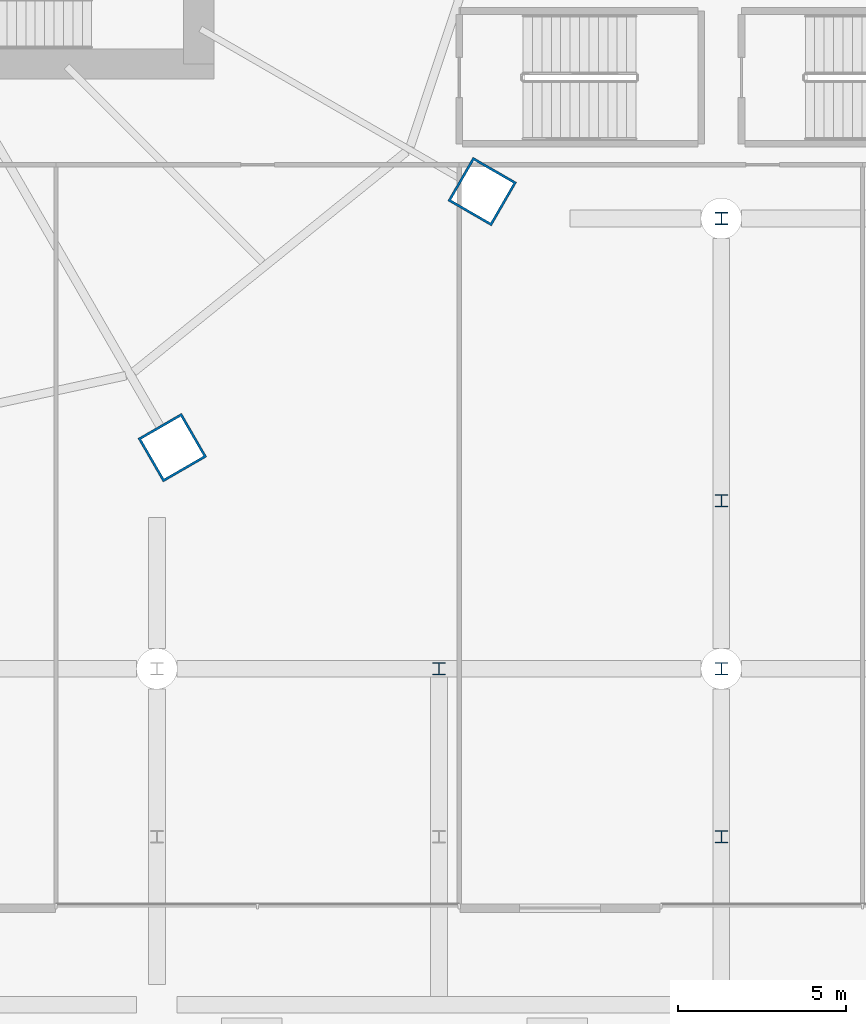
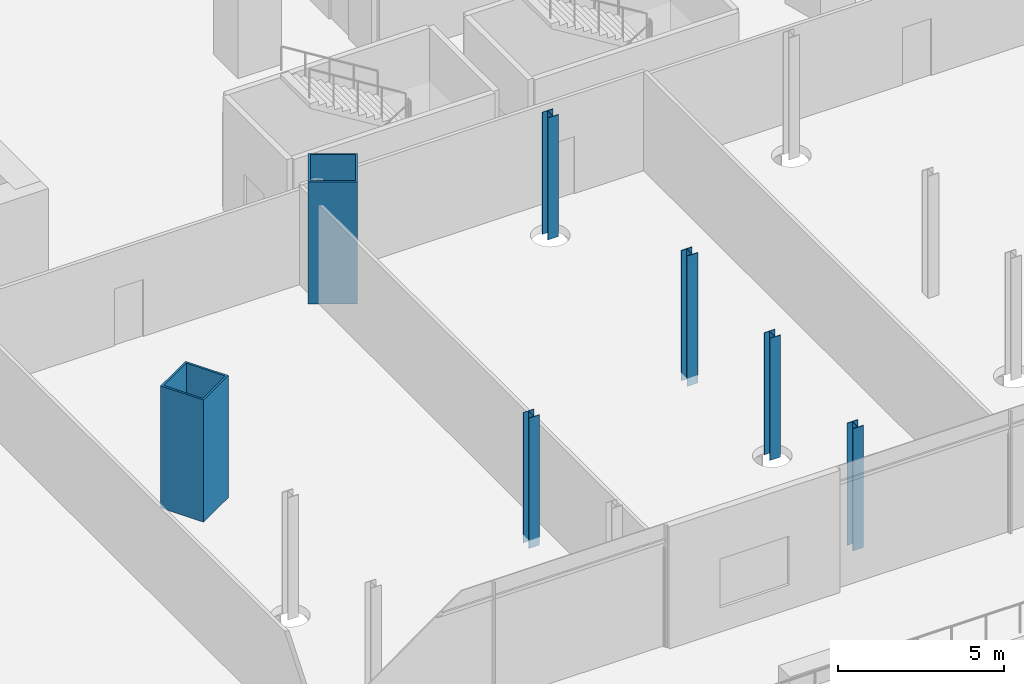
# One storey, part 2 of 56: 7 columns.
"""IFC4 building model written with IfcOpenShell, lengths in metres."""

from ifc_helpers import new_model, si_unit, direction, frame, origin, origin_2d, place, context, subcontext, project, spatial, hollow_rectangle, i_section, extrude, material, material_profile, profile_set, type_object, element, save


model = new_model("IFC4")

# Units and contexts
model_context = context("Model", 3, precision=1e-05, world=origin(), true_north=direction((0.0, 1.0)))
body_context = subcontext(model_context, "Body", "Model", "MODEL_VIEW")
ifc_project = project(units=[si_unit("LENGTHUNIT", "METRE"), si_unit("AREAUNIT", "SQUARE_METRE"), si_unit("VOLUMEUNIT", "CUBIC_METRE"), si_unit("PLANEANGLEUNIT", "RADIAN"), si_unit("MASSUNIT", "GRAM", prefix="KILO")], contexts=[model_context])

# Site, building, storey
site_placement = place(None, origin())
site = spatial("IfcSite", under=ifc_project, at=site_placement, CompositionType="ELEMENT")
building_placement = place(site_placement, origin())
building = spatial("IfcBuilding", under=site, at=building_placement, Name="Rimbun Link Towers", CompositionType="ELEMENT")
storey_placement = place(building_placement, frame((0.0, 0.0, 16.5)))
storey = spatial("IfcBuildingStorey", under=building, at=storey_placement, Name="L03", CompositionType="ELEMENT", Elevation=16.5)

# Columns
ifc_material_1 = material(Name="Steel S460N", Category="steel")
ifc_material_profile_1 = material_profile(ifc_material_1, hollow_rectangle(XDim=1.5, YDim=1.5, WallThickness=0.070068359375, at=origin_2d()), Name="BOX 1500x1500x70")
ifc_profile_set_1 = profile_set([ifc_material_profile_1], Name="Steel S460N")
column_type_1 = type_object("IfcColumnType", Name="BOX 1500x1500x70", PredefinedType="COLUMN", material=ifc_profile_set_1)
for number, where, z_axis, x_axis, name in (
    (1, (-20.538818359375, -19.418212890625, 0.0), (0.0, 0.0, 1.0), (0.5, -0.866025403784, 0.0), "Mega column T1 L03 20"),
    (2, (-11.316650390625, -11.797119140625, 0.0), (0.0, 0.0, 1.0), (0.866025403784, -0.5, 0.0), "Mega column T1 L03 22"),
):
    element("IfcColumn", number, at=place(storey_placement, frame(where, z_axis=z_axis, x_axis=x_axis)), inside=storey, type_object=column_type_1, Name=name, PredefinedType="COLUMN", context=body_context, shape_type="SweptSolid", body=[
        extrude(hollow_rectangle(XDim=1.5, YDim=1.5, WallThickness=0.070068359375, at=origin_2d()), origin(), (0.0, 0.0, 1.0), 4.5),
    ])
ifc_material_2 = material(Name="Steel S355J2", Category="steel")
ifc_material_profile_2 = material_profile(ifc_material_2, i_section(OverallWidth=0.37060546875, OverallDepth=0.362060546875, WebThickness=0.01220703125, FlangeThickness=0.020751953125, at=origin_2d()), Name="UC 356x368x153")
ifc_profile_set_2 = profile_set([ifc_material_profile_2], Name="Steel S355J2")
column_type_2 = type_object("IfcColumnType", Name="UC 356x368x153", PredefinedType="COLUMN", material=ifc_profile_set_2)
column_1_placement = place(storey_placement, frame((-12.60009765625, -26.0, -0.300048828125), z_axis=(0.0, 0.0, 1.0), x_axis=(1.0, 0.0, 0.0)))
element("IfcColumn", 3, at=column_1_placement, inside=storey, type_object=column_type_2, Name="Column L03 -12.6 -26.0", PredefinedType="COLUMN", context=body_context, shape_type="SweptSolid", body=[
    extrude(i_section(OverallWidth=0.37060546875, OverallDepth=0.362060546875, WebThickness=0.01220703125, FlangeThickness=0.020751953125, at=origin_2d()), origin(), (0.0, 0.0, 1.0), 4.800048828125),
])
for number, where, z_axis, x_axis, name in (
    (4, (-4.199951171875, -31.0, -0.300048828125), (0.0, 0.0, 1.0), (1.0, 0.0, 0.0), "Column L03 -4.2 -31.0"),
    (5, (-4.199951171875, -26.0, 0.0), (0.0, 0.0, 1.0), (1.0, 0.0, 0.0), "Column L03 -4.2 -26.0"),
):
    element("IfcColumn", number, at=place(storey_placement, frame(where, z_axis=z_axis, x_axis=x_axis)), inside=storey, type_object=column_type_2, Name=name, PredefinedType="COLUMN", context=body_context, shape_type="SweptSolid", body=[
        extrude(i_section(OverallWidth=0.37060546875, OverallDepth=0.362060546875, WebThickness=0.01220703125, FlangeThickness=0.020751953125, at=origin_2d()), origin(), (0.0, 0.0, 1.0), 4.5),
    ])
column_2_placement = place(storey_placement, frame((-4.199951171875, -21.0, -0.300048828125), z_axis=(0.0, 0.0, 1.0), x_axis=(1.0, 0.0, 0.0)))
element("IfcColumn", 6, at=column_2_placement, inside=storey, type_object=column_type_2, Name="Column L03 -4.2 -21.0", PredefinedType="COLUMN", context=body_context, shape_type="SweptSolid", body=[
    extrude(i_section(OverallWidth=0.37060546875, OverallDepth=0.362060546875, WebThickness=0.01220703125, FlangeThickness=0.020751953125, at=origin_2d()), origin(), (0.0, 0.0, 1.0), 4.800048828125),
])
column_3_placement = place(storey_placement, frame((-4.199951171875, -12.60009765625, 0.0), z_axis=(0.0, 0.0, 1.0), x_axis=(1.0, 0.0, 0.0)))
element("IfcColumn", 7, at=column_3_placement, inside=storey, type_object=column_type_2, Name="Column L03 -4.2 -12.6", PredefinedType="COLUMN", context=body_context, shape_type="SweptSolid", body=[
    extrude(i_section(OverallWidth=0.37060546875, OverallDepth=0.362060546875, WebThickness=0.01220703125, FlangeThickness=0.020751953125, at=origin_2d()), origin(), (0.0, 0.0, 1.0), 4.5),
])

save(model, "model.ifc")
